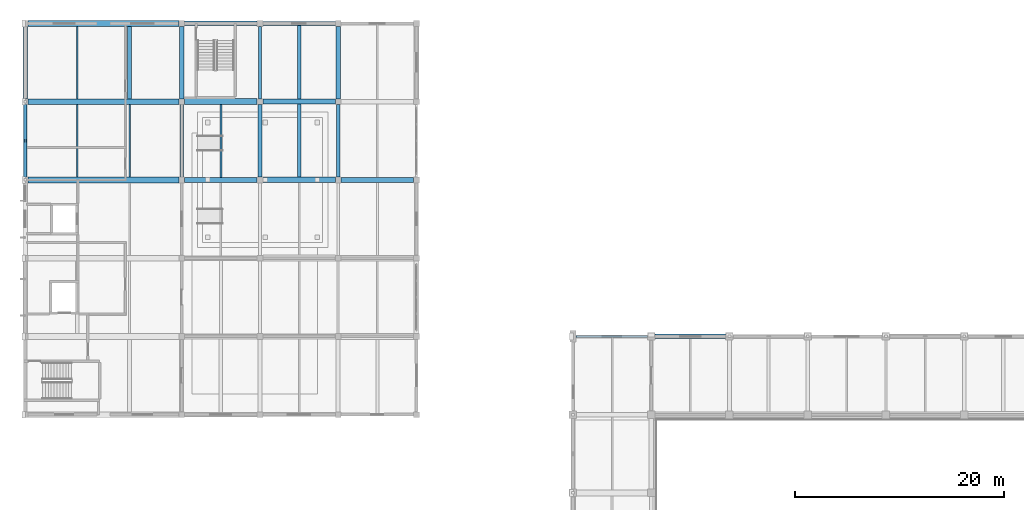
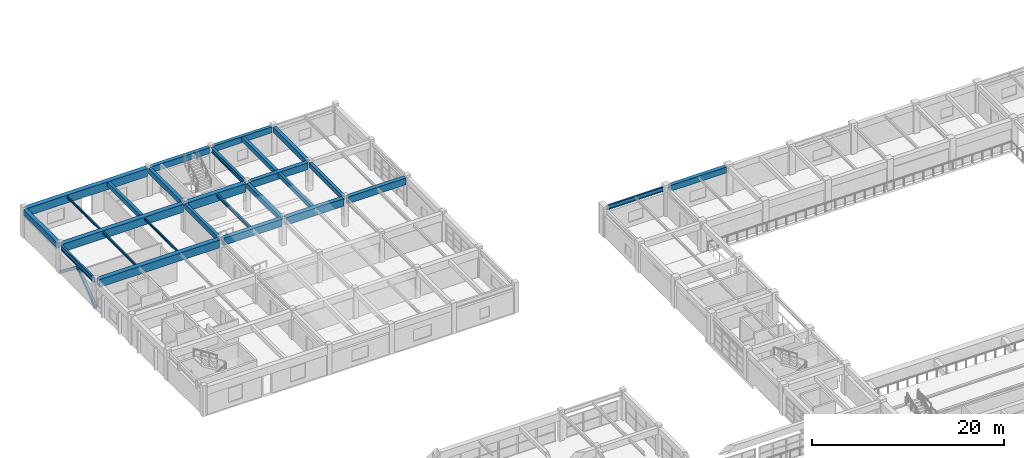
# One storey, part 53 of 101: 27 beams, 2 members.
"""IFC4 building model written with IfcOpenShell, lengths in metres."""

from ifc_helpers import new_model, si_unit, direction, frame, origin, origin_2d, place, context, subcontext, project, spatial, rectangle, i_section, extrude, material, material_profile, profile_set, type_object, element, save


model = new_model("IFC4")

# Units and contexts
model_context = context("Model", 3, precision=1e-05, world=origin(), true_north=direction((0.0, 1.0)))
body_context = subcontext(model_context, "Body", "Model", "MODEL_VIEW")
ifc_project = project(units=[si_unit("LENGTHUNIT", "METRE"), si_unit("AREAUNIT", "SQUARE_METRE"), si_unit("VOLUMEUNIT", "CUBIC_METRE"), si_unit("PLANEANGLEUNIT", "RADIAN"), si_unit("MASSUNIT", "GRAM", prefix="KILO")], contexts=[model_context])

# Site, building, storey
site_placement = place(None, origin())
site = spatial("IfcSite", under=ifc_project, at=site_placement, CompositionType="ELEMENT")
building_placement = place(site_placement, origin())
building = spatial("IfcBuilding", under=site, at=building_placement, Name="Qasida Concert Hall", CompositionType="ELEMENT")
storey_placement = place(building_placement, frame((0.0, 0.0, 13.199951171875)))
storey = spatial("IfcBuildingStorey", under=building, at=storey_placement, Name="L03", CompositionType="ELEMENT", Elevation=13.199951171875)

# Beams
ifc_material_1 = material(Name="Concrete C40/50", Category="concrete")
ifc_material_profile_1 = material_profile(ifc_material_1, rectangle(XDim=0.39990234375, YDim=0.64990234375, at=origin_2d()), Name="RC 400x650")
ifc_profile_set_1 = profile_set([ifc_material_profile_1], Name="Concrete C40/50")
beam_type_1 = type_object("IfcBeamType", Name="BM-B1", PredefinedType="BEAM", material=ifc_profile_set_1)
for number, where, z_axis, x_axis, name in (
    (1, (15.0, 105.27490234375, 3.295166015625), (0.0, 1.0, 0.0), (-1.0, 0.0, 0.0), "L03 girder 1766"),
    (2, (30.0, 105.27490234375, 3.295166015625), (0.0, 1.0, 0.0), (-1.0, 0.0, 0.0), "L03 girder 1776"),
):
    element("IfcBeam", number, at=place(storey_placement, frame(where, z_axis=z_axis, x_axis=x_axis)), inside=storey, type_object=beam_type_1, Name=name, PredefinedType="BEAM", context=body_context, shape_type="SweptSolid", body=[
        extrude(rectangle(XDim=0.39990234375, YDim=0.64990234375, at=origin_2d()), origin(), (0.0, 0.0, 1.0), 6.9501953125),
    ])
ifc_material_profile_2 = material_profile(ifc_material_1, rectangle(XDim=0.3798828125, YDim=0.6201171875, at=origin_2d()), Name="RC 380x620")
ifc_profile_set_2 = profile_set([ifc_material_profile_2], Name="Concrete C40/50")
beam_type_2 = type_object("IfcBeamType", Name="BM-B10", PredefinedType="BEAM", material=ifc_profile_set_2)
beam_1_placement = place(storey_placement, frame((22.5, 97.77490234375, 3.31005859375), z_axis=(0.0, 1.0, 0.0), x_axis=(-1.0, 0.0, 0.0)))
element("IfcBeam", 3, at=beam_1_placement, inside=storey, type_object=beam_type_2, Name="L03 girder 1770", PredefinedType="BEAM", context=body_context, shape_type="SweptSolid", body=[
    extrude(rectangle(XDim=0.3798828125, YDim=0.6201171875, at=origin_2d()), origin(), (0.0, 0.0, 1.0), 6.9501953125),
])
ifc_material_profile_3 = material_profile(ifc_material_1, rectangle(XDim=0.35009765625, YDim=0.60009765625, at=origin_2d()), Name="RC 350x600")
ifc_profile_set_3 = profile_set([ifc_material_profile_3], Name="Concrete C40/50")
beam_type_3 = type_object("IfcBeamType", Name="BM-B2", PredefinedType="BEAM", material=ifc_profile_set_3)
for number, where, z_axis, x_axis, name in (
    (4, (15.0, 97.77490234375, 3.320068359375), (0.0, 1.0, 0.0), (-1.0, 0.0, 0.0), "L03 girder 1765"),
    (5, (30.0, 97.77490234375, 3.320068359375), (0.0, 1.0, 0.0), (-1.0, 0.0, 0.0), "L03 girder 1775"),
):
    element("IfcBeam", number, at=place(storey_placement, frame(where, z_axis=z_axis, x_axis=x_axis)), inside=storey, type_object=beam_type_3, Name=name, PredefinedType="BEAM", context=body_context, shape_type="SweptSolid", body=[
        extrude(rectangle(XDim=0.35009765625, YDim=0.60009765625, at=origin_2d()), origin(), (0.0, 0.0, 1.0), 6.9501953125),
    ])
ifc_material_2 = material(Name="Steel S355J2", Category="steel")
ifc_material_profile_4 = material_profile(ifc_material_2, i_section(OverallWidth=0.300048828125, OverallDepth=0.60009765625, WebThickness=0.015380859375, FlangeThickness=0.030029296875, FilletRadius=0.027099609375, at=origin_2d()), Name="HEB 600")
ifc_profile_set_4 = profile_set([ifc_material_profile_4], Name="Steel S355J2")
beam_type_4 = type_object("IfcBeamType", Name="BM-B6", PredefinedType="BEAM", material=ifc_profile_set_4)
beam_2_placement = place(storey_placement, frame((22.5, 105.27490234375, 3.320068359375), z_axis=(0.0, 1.0, 0.0), x_axis=(-1.0, 0.0, 0.0)))
element("IfcBeam", 6, at=beam_2_placement, inside=storey, type_object=beam_type_4, Name="L03 girder 1771", PredefinedType="BEAM", context=body_context, shape_type="SweptSolid", body=[
    extrude(i_section(OverallWidth=0.300048828125, OverallDepth=0.60009765625, WebThickness=0.015380859375, FlangeThickness=0.030029296875, FilletRadius=0.027099609375, at=origin_2d()), origin(), (0.0, 0.0, 1.0), 6.9501953125),
])
ifc_material_profile_5 = material_profile(ifc_material_1, rectangle(XDim=0.5, YDim=0.89990234375, at=origin_2d()), Name="RC 500x900")
ifc_profile_set_5 = profile_set([ifc_material_profile_5], Name="Concrete C40/50")
beam_type_5 = type_object("IfcBeamType", Name="BM-G1", PredefinedType="USERDEFINED", material=ifc_profile_set_5)
beam_3_placement = place(storey_placement, frame((15.27490234375, 97.5, 3.170166015625), z_axis=(1.0, 0.0, 0.0), x_axis=(0.0, 1.0, 0.0)))
element("IfcBeam", 7, at=beam_3_placement, inside=storey, type_object=beam_type_5, Name="Primary girder 1746", ObjectType="GIRDER", PredefinedType="USERDEFINED", context=body_context, shape_type="SweptSolid", body=[
    extrude(rectangle(XDim=0.5, YDim=0.89990234375, at=origin_2d()), origin(), (0.0, 0.0, 1.0), 6.9501953125),
])
ifc_material_profile_6 = material_profile(ifc_material_1, rectangle(XDim=0.550048828125, YDim=1.0, at=origin_2d()), Name="RC 550x1000")
ifc_profile_set_6 = profile_set([ifc_material_profile_6], Name="Concrete C40/50")
beam_type_6 = type_object("IfcBeamType", Name="BM-G3", PredefinedType="USERDEFINED", material=ifc_profile_set_6)
for number, where, z_axis, x_axis, name in (
    (8, (0.27490234375, 97.5, 3.1201171875), (1.0, 0.0, 0.0), (0.0, 1.0, 0.0), "Primary girder 1745"),
    (9, (0.27490234375, 105.0, 3.1201171875), (1.0, 0.0, 0.0), (0.0, 1.0, 0.0), "Primary girder 1749"),
    (10, (0.27490234375, 112.5, 3.1201171875), (1.0, 0.0, 0.0), (0.0, 1.0, 0.0), "Primary girder 1753"),
):
    element("IfcBeam", number, at=place(storey_placement, frame(where, z_axis=z_axis, x_axis=x_axis)), inside=storey, type_object=beam_type_6, Name=name, ObjectType="GIRDER", PredefinedType="USERDEFINED", context=body_context, shape_type="SweptSolid", body=[
        extrude(rectangle(XDim=0.550048828125, YDim=1.0, at=origin_2d()), origin(), (0.0, 0.0, 1.0), 14.4501953125),
    ])
ifc_material_profile_7 = material_profile(ifc_material_1, rectangle(XDim=0.47998046875, YDim=0.85009765625, at=origin_2d()), Name="RC 480x850")
ifc_profile_set_7 = profile_set([ifc_material_profile_7], Name="Concrete C40/50")
beam_type_7 = type_object("IfcBeamType", Name="BM-G6", PredefinedType="USERDEFINED", material=ifc_profile_set_7)
for number, where, z_axis, x_axis, name in (
    (11, (30.27490234375, 97.5, 3.195068359375), (1.0, 0.0, 0.0), (0.0, 1.0, 0.0), "Primary girder 1748"),
    (12, (22.77490234375, 105.0, 3.195068359375), (1.0, 0.0, 0.0), (0.0, 1.0, 0.0), "Primary girder 1751"),
):
    element("IfcBeam", number, at=place(storey_placement, frame(where, z_axis=z_axis, x_axis=x_axis)), inside=storey, type_object=beam_type_7, Name=name, ObjectType="GIRDER", PredefinedType="USERDEFINED", context=body_context, shape_type="SweptSolid", body=[
        extrude(rectangle(XDim=0.47998046875, YDim=0.85009765625, at=origin_2d()), origin(), (0.0, 0.0, 1.0), 6.9501953125),
    ])
ifc_material_profile_8 = material_profile(ifc_material_1, rectangle(XDim=0.52001953125, YDim=0.949951171875, at=origin_2d()), Name="RC 520x950")
ifc_profile_set_8 = profile_set([ifc_material_profile_8], Name="Concrete C40/50")
beam_type_8 = type_object("IfcBeamType", Name="BM-G7", PredefinedType="USERDEFINED", material=ifc_profile_set_8)
beam_4_placement = place(storey_placement, frame((22.77490234375, 97.5, 3.14501953125), z_axis=(1.0, 0.0, 0.0), x_axis=(0.0, 1.0, 0.0)))
element("IfcBeam", 13, at=beam_4_placement, inside=storey, type_object=beam_type_8, Name="Primary girder 1747", ObjectType="GIRDER", PredefinedType="USERDEFINED", context=body_context, shape_type="SweptSolid", body=[
    extrude(rectangle(XDim=0.52001953125, YDim=0.949951171875, at=origin_2d()), origin(), (0.0, 0.0, 1.0), 6.9501953125),
])
ifc_material_3 = material(Name="Concrete C50/60", Category="concrete")
ifc_material_profile_9 = material_profile(ifc_material_3, rectangle(XDim=0.580078125, YDim=1.050048828125, at=origin_2d()), Name="RC 580x1050")
ifc_profile_set_9 = profile_set([ifc_material_profile_9], Name="Concrete C50/60")
beam_type_9 = type_object("IfcBeamType", Name="BM-G8", PredefinedType="USERDEFINED", material=ifc_profile_set_9)
beam_5_placement = place(storey_placement, frame((15.27490234375, 105.0, 3.094970703125), z_axis=(1.0, 0.0, 0.0), x_axis=(0.0, 1.0, 0.0)))
element("IfcBeam", 14, at=beam_5_placement, inside=storey, type_object=beam_type_9, Name="Primary girder 1750", ObjectType="GIRDER", PredefinedType="USERDEFINED", context=body_context, shape_type="SweptSolid", body=[
    extrude(rectangle(XDim=0.580078125, YDim=1.050048828125, at=origin_2d()), origin(), (0.0, 0.0, 1.0), 6.9501953125),
])
ifc_material_profile_10 = material_profile(ifc_material_2, i_section(OverallWidth=0.179931640625, OverallDepth=0.39990234375, WebThickness=0.008544921875, FlangeThickness=0.013427734375, FilletRadius=0.02099609375, at=origin_2d()), Name="IPE 400")
ifc_profile_set_10 = profile_set([ifc_material_profile_10], Name="Steel S355J2")
beam_type_10 = type_object("IfcBeamType", Name="BM-J3", PredefinedType="JOIST", material=ifc_profile_set_10)
beam_6_placement = place(storey_placement, frame((18.75, 97.75, 3.420166015625), z_axis=(0.0, 1.0, 0.0), x_axis=(-1.0, 0.0, 0.0)))
element("IfcBeam", 15, at=beam_6_placement, inside=storey, type_object=beam_type_10, Name="L03 secondary joist 1794", PredefinedType="JOIST", context=body_context, shape_type="SweptSolid", body=[
    extrude(i_section(OverallWidth=0.179931640625, OverallDepth=0.39990234375, WebThickness=0.008544921875, FlangeThickness=0.013427734375, FilletRadius=0.02099609375, at=origin_2d()), origin(), (0.0, 0.0, 1.0), 6.9599609375),
])
ifc_material_profile_11 = material_profile(ifc_material_2, i_section(OverallWidth=0.14990234375, OverallDepth=0.300048828125, WebThickness=0.007080078125, FlangeThickness=0.0107421875, FilletRadius=0.014892578125, at=origin_2d()), Name="IPE 300")
ifc_profile_set_11 = profile_set([ifc_material_profile_11], Name="Steel S355J2")
beam_type_11 = type_object("IfcBeamType", Name="BM-J4", PredefinedType="JOIST", material=ifc_profile_set_11)
beam_7_placement = place(storey_placement, frame((5.0, 97.77490234375, 3.469970703125), z_axis=(0.0, 1.0, 0.0), x_axis=(-1.0, 0.0, 0.0)))
element("IfcBeam", 16, at=beam_7_placement, inside=storey, type_object=beam_type_11, Name="L03 secondary joist 1787", PredefinedType="JOIST", context=body_context, shape_type="SweptSolid", body=[
    extrude(i_section(OverallWidth=0.14990234375, OverallDepth=0.300048828125, WebThickness=0.007080078125, FlangeThickness=0.0107421875, FilletRadius=0.014892578125, at=origin_2d()), origin(), (0.0, 0.0, 1.0), 6.9501953125),
])
ifc_material_profile_12 = material_profile(ifc_material_2, i_section(OverallWidth=0.135009765625, OverallDepth=0.27001953125, WebThickness=0.006591796875, FlangeThickness=0.01025390625, FilletRadius=0.014892578125, at=origin_2d()), Name="IPE 270")
ifc_profile_set_12 = profile_set([ifc_material_profile_12], Name="Steel S355J2")
beam_type_12 = type_object("IfcBeamType", Name="BM-J6", PredefinedType="JOIST", material=ifc_profile_set_12)
for number, where, z_axis, x_axis, name in (
    (17, (10.0, 97.77490234375, 3.485107421875), (0.0, 1.0, 0.0), (-1.0, 0.0, 0.0), "L03 secondary joist 1788"),
    (18, (5.0, 105.27490234375, 3.485107421875), (0.0, 1.0, 0.0), (-1.0, 0.0, 0.0), "L03 secondary joist 1789"),
):
    element("IfcBeam", number, at=place(storey_placement, frame(where, z_axis=z_axis, x_axis=x_axis)), inside=storey, type_object=beam_type_12, Name=name, PredefinedType="JOIST", context=body_context, shape_type="SweptSolid", body=[
        extrude(i_section(OverallWidth=0.135009765625, OverallDepth=0.27001953125, WebThickness=0.006591796875, FlangeThickness=0.01025390625, FilletRadius=0.014892578125, at=origin_2d()), origin(), (0.0, 0.0, 1.0), 6.9501953125),
    ])
ifc_material_profile_13 = material_profile(ifc_material_1, rectangle(XDim=0.320068359375, YDim=0.5, at=origin_2d()), Name="RC 320x500")
ifc_profile_set_13 = profile_set([ifc_material_profile_13], Name="Concrete C40/50")
beam_type_13 = type_object("IfcBeamType", Name="BM-J7", PredefinedType="JOIST", material=ifc_profile_set_13)
beam_8_placement = place(storey_placement, frame((26.25, 97.760009765625, 3.3701171875), z_axis=(0.0, 1.0, 0.0), x_axis=(-1.0, 0.0, 0.0)))
element("IfcBeam", 19, at=beam_8_placement, inside=storey, type_object=beam_type_13, Name="L03 secondary joist 1798", PredefinedType="JOIST", context=body_context, shape_type="SweptSolid", body=[
    extrude(rectangle(XDim=0.320068359375, YDim=0.5, at=origin_2d()), origin(), (0.0, 0.0, 1.0), 7.0),
])
ifc_material_profile_14 = material_profile(ifc_material_1, rectangle(XDim=0.35009765625, YDim=0.550048828125, at=origin_2d()), Name="RC 350x550")
ifc_profile_set_14 = profile_set([ifc_material_profile_14], Name="Concrete C40/50")
beam_type_14 = type_object("IfcBeamType", Name="BM-J8", PredefinedType="JOIST", material=ifc_profile_set_14)
beam_9_placement = place(storey_placement, frame((10.0, 105.27490234375, 3.344970703125), z_axis=(0.0, 1.0, 0.0), x_axis=(-1.0, 0.0, 0.0)))
element("IfcBeam", 20, at=beam_9_placement, inside=storey, type_object=beam_type_14, Name="L03 secondary joist 1790", PredefinedType="JOIST", context=body_context, shape_type="SweptSolid", body=[
    extrude(rectangle(XDim=0.35009765625, YDim=0.550048828125, at=origin_2d()), origin(), (0.0, 0.0, 1.0), 6.9501953125),
])
beam_10_placement = place(storey_placement, frame((26.25, 105.239990234375, 3.344970703125), z_axis=(0.0, 1.0, 0.0), x_axis=(-1.0, 0.0, 0.0)))
element("IfcBeam", 21, at=beam_10_placement, inside=storey, type_object=beam_type_14, Name="L03 secondary joist 1799", PredefinedType="JOIST", context=body_context, shape_type="SweptSolid", body=[
    extrude(rectangle(XDim=0.35009765625, YDim=0.550048828125, at=origin_2d()), origin(), (0.0, 0.0, 1.0), 7.06005859375),
])
ifc_material_profile_15 = material_profile(ifc_material_1, rectangle(XDim=0.39990234375, YDim=0.75, at=origin_2d()), Name="RC 400x750")
ifc_profile_set_15 = profile_set([ifc_material_profile_15], Name="Concrete C40/50")
beam_type_15 = type_object("IfcBeamType", Name="BM-SP1", PredefinedType="SPANDREL", material=ifc_profile_set_15)
beam_11_placement = place(storey_placement, frame((22.77490234375, 112.5, 3.2451171875), z_axis=(1.0, 0.0, 0.0), x_axis=(0.0, 1.0, 0.0)))
element("IfcBeam", 22, at=beam_11_placement, inside=storey, type_object=beam_type_15, Name="Primary girder 1755", PredefinedType="SPANDREL", context=body_context, shape_type="SweptSolid", body=[
    extrude(rectangle(XDim=0.39990234375, YDim=0.75, at=origin_2d()), origin(), (0.0, 0.0, 1.0), 6.9501953125),
])
ifc_material_profile_16 = material_profile(ifc_material_2, i_section(OverallWidth=0.2099609375, OverallDepth=0.550048828125, WebThickness=0.010986328125, FlangeThickness=0.01708984375, FilletRadius=0.02392578125, at=origin_2d()), Name="IPE 550")
ifc_profile_set_16 = profile_set([ifc_material_profile_16], Name="Steel S355J2")
beam_type_16 = type_object("IfcBeamType", Name="BM-SP2", PredefinedType="SPANDREL", material=ifc_profile_set_16)
beam_12_placement = place(storey_placement, frame((52.800048828125, 82.5, 3.344970703125), z_axis=(1.0, 0.0, 0.0), x_axis=(0.0, 1.0, 0.0)))
element("IfcBeam", 23, at=beam_12_placement, inside=storey, type_object=beam_type_16, Name="Primary girder 1537", PredefinedType="SPANDREL", context=body_context, shape_type="SweptSolid", body=[
    extrude(i_section(OverallWidth=0.2099609375, OverallDepth=0.550048828125, WebThickness=0.010986328125, FlangeThickness=0.01708984375, FilletRadius=0.02392578125, at=origin_2d()), origin(), (0.0, 0.0, 1.0), 6.83984375),
])
ifc_material_profile_17 = material_profile(ifc_material_2, i_section(OverallWidth=0.219970703125, OverallDepth=0.60009765625, WebThickness=0.011962890625, FlangeThickness=0.01904296875, FilletRadius=0.02392578125, at=origin_2d()), Name="IPE 600")
ifc_profile_set_17 = profile_set([ifc_material_profile_17], Name="Steel S355J2")
beam_type_17 = type_object("IfcBeamType", Name="BM-SP3", PredefinedType="SPANDREL", material=ifc_profile_set_17)
beam_13_placement = place(storey_placement, frame((0.0, 97.77490234375, 3.320068359375), z_axis=(0.0, 1.0, 0.0), x_axis=(-1.0, 0.0, 0.0)))
element("IfcBeam", 24, at=beam_13_placement, inside=storey, type_object=beam_type_17, Name="L03 girder 1760", PredefinedType="SPANDREL", context=body_context, shape_type="SweptSolid", body=[
    extrude(i_section(OverallWidth=0.219970703125, OverallDepth=0.60009765625, WebThickness=0.011962890625, FlangeThickness=0.01904296875, FilletRadius=0.02392578125, at=origin_2d()), origin(), (0.0, 0.0, 1.0), 6.9501953125),
])
ifc_material_profile_18 = material_profile(ifc_material_1, rectangle(XDim=0.449951171875, YDim=0.75, at=origin_2d()), Name="RC 450x750")
ifc_profile_set_18 = profile_set([ifc_material_profile_18], Name="Concrete C40/50")
beam_type_18 = type_object("IfcBeamType", Name="BM-SP4", PredefinedType="SPANDREL", material=ifc_profile_set_18)
beam_14_placement = place(storey_placement, frame((60.360107421875, 82.5, 3.2451171875), z_axis=(1.0, 0.0, 0.0), x_axis=(0.0, 1.0, 0.0)))
element("IfcBeam", 25, at=beam_14_placement, inside=storey, type_object=beam_type_18, Name="Primary girder 1538", PredefinedType="SPANDREL", context=body_context, shape_type="SweptSolid", body=[
    extrude(rectangle(XDim=0.449951171875, YDim=0.75, at=origin_2d()), origin(), (0.0, 0.0, 1.0), 6.77978515625),
])
for number, where, z_axis, x_axis, name in (
    (26, (15.27490234375, 112.5, 3.2451171875), (1.0, 0.0, 0.0), (0.0, 1.0, 0.0), "Primary girder 1754"),
    (27, (0.0, 105.27490234375, 3.2451171875), (0.0, 1.0, 0.0), (-1.0, 0.0, 0.0), "L03 girder 1761"),
):
    element("IfcBeam", number, at=place(storey_placement, frame(where, z_axis=z_axis, x_axis=x_axis)), inside=storey, type_object=beam_type_18, Name=name, PredefinedType="SPANDREL", context=body_context, shape_type="SweptSolid", body=[
        extrude(rectangle(XDim=0.449951171875, YDim=0.75, at=origin_2d()), origin(), (0.0, 0.0, 1.0), 6.9501953125),
    ])

# Members
ifc_material_profile_19 = material_profile(ifc_material_2, i_section(OverallWidth=0.300048828125, OverallDepth=0.340087890625, WebThickness=0.011962890625, FlangeThickness=0.021484375, FilletRadius=0.027099609375, at=origin_2d()), Name="HEB 340")
ifc_profile_set_19 = profile_set([ifc_material_profile_19], Name="Steel S355J2")
member_type = type_object("IfcMemberType", Name="MB-BR13", PredefinedType="BRACE", material=ifc_profile_set_19)
for number, where, z_axis, x_axis, name in (
    (28, (0.0, 97.5, 0.0), (0.0, 0.794105362147, 0.607780119623), (-1.0, 0.0, 0.0), "L03 chevron brace CBF-0063"),
    (29, (0.0, 105.0, 0.0), (0.0, -0.794105362147, 0.607780119623), (1.0, 0.0, 0.0), "L03 chevron brace CBF-0064"),
):
    element("IfcMember", number, at=place(storey_placement, frame(where, z_axis=z_axis, x_axis=x_axis)), inside=storey, type_object=member_type, Name=name, PredefinedType="BRACE", context=body_context, shape_type="SweptSolid", body=[
        extrude(i_section(OverallWidth=0.300048828125, OverallDepth=0.340087890625, WebThickness=0.011962890625, FlangeThickness=0.021484375, FilletRadius=0.027099609375, at=origin_2d()), origin(), (0.0, 0.0, 1.0), 4.722412109375),
    ])

save(model, "model.ifc")
